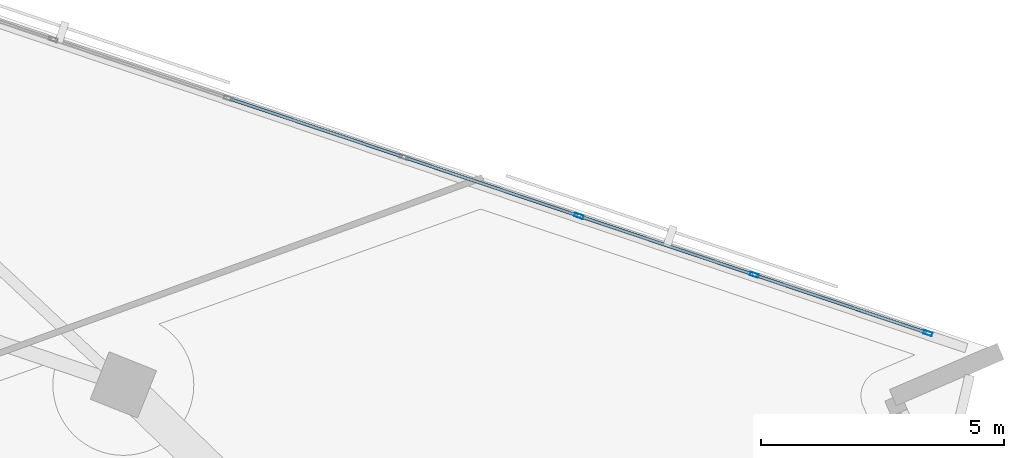
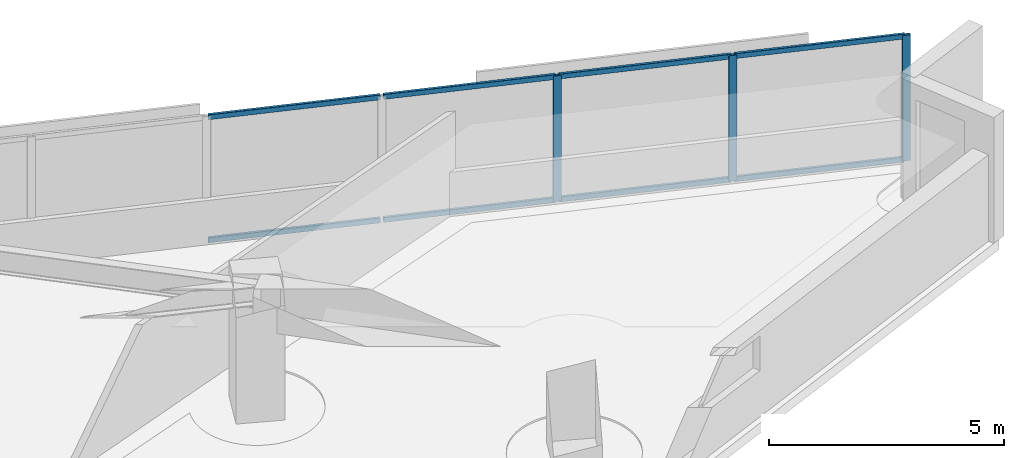
# One storey, part 5 of 14: 11 members, 1 element without a shape of its own.
"""IFC4 building model written with IfcOpenShell, lengths in metres."""

import ifcopenshell
import ifcopenshell.guid

model = None  # the IFC model being written
_history = None  # IfcOwnerHistory: only IFC2X3 demands one
_inside = {}  # id of a spatial element -> (the spatial element, [elements in it])
_under = {}  # id of a project, library or spatial element -> (it, [spatial elements below it])
_declared = {}  # id of a project -> (the project, [libraries it declares])
_typed = {}  # id of a type object -> (the type object, [elements of that type])
_made_of = {}  # id of a material, layer set ... -> (it, [elements and type objects made of it])


def new_model(schema):
    """Start an empty IFC model of exactly this schema.

    Asked for "IFC4X3", IfcOpenShell would pick the latest addendum, in which some entities
    have other attributes; the version numbers below select the first issue.
    IFC2X3 requires an IfcOwnerHistory on every rooted entity: one is made here for all.
    """
    global model, _history
    if schema == "IFC4X3":
        model = ifcopenshell.file(schema_version=(4, 3, 0, 0))
    else:
        model = ifcopenshell.file(schema=schema)
    _inside.clear()
    _under.clear()
    _declared.clear()
    _typed.clear()
    _made_of.clear()
    _history = None
    if model.schema == "IFC2X3":
        org = make("IfcOrganization", Name="unknown")
        user = make(
            "IfcPersonAndOrganization",
            ThePerson=make("IfcPerson", FamilyName="unknown"),
            TheOrganization=org,
        )
        app = make(
            "IfcApplication",
            ApplicationDeveloper=org,
            Version="unknown",
            ApplicationFullName="unknown",
            ApplicationIdentifier="unknown",
        )
        _history = make(
            "IfcOwnerHistory",
            OwningUser=user,
            OwningApplication=app,
            ChangeAction="ADDED",
            CreationDate=0,
        )
    return model


def make(cls, **values):
    """One entity of the class cls with the attributes given. An attribute that is None is left unset."""
    return model.create_entity(
        cls, **{name: value for name, value in values.items() if value is not None}
    )


def rooted(cls, **values):
    """An entity with a GlobalId (a new one), such as an element, a storey or a relation."""
    return make(cls, GlobalId=ifcopenshell.guid.new(), OwnerHistory=_history, **values)


def si_unit(unit_type, name, prefix=None):
    """IfcSIUnit, for example si_unit("LENGTHUNIT", "METRE", prefix="MILLI")."""
    return make("IfcSIUnit", UnitType=unit_type, Prefix=prefix, Name=name)


def assignment(units):
    """IfcUnitAssignment: the units of a project."""
    return None if units is None else make("IfcUnitAssignment", Units=units)


def point(xyz):
    """IfcCartesianPoint."""
    return None if xyz is None else make("IfcCartesianPoint", Coordinates=xyz)


def direction(xyz):
    """IfcDirection."""
    return None if xyz is None else make("IfcDirection", DirectionRatios=xyz)


def frame(location, z_axis=None, x_axis=None):
    """IfcAxis2Placement3D, a coordinate frame: its origin and axes. An axis left out is left unset."""
    return make(
        "IfcAxis2Placement3D",
        Location=point(location),
        Axis=direction(z_axis),
        RefDirection=direction(x_axis),
    )


def frame_2d(location, x_axis=None):
    """IfcAxis2Placement2D, a coordinate frame in the plane: its origin and x axis."""
    return make(
        "IfcAxis2Placement2D", Location=point(location), RefDirection=direction(x_axis)
    )


def origin():
    """The frame at (0, 0, 0) with its axes left unset."""
    return frame((0.0, 0.0, 0.0))


def origin_2d():
    """The frame at (0, 0) in the plane with its x axis left unset."""
    return frame_2d((0.0, 0.0))


def place(relative_to, where):
    """IfcLocalPlacement: puts the frame where relative to a parent placement (None: the world)."""
    return make(
        "IfcLocalPlacement", PlacementRelTo=relative_to, RelativePlacement=where
    )


def context(
    kind, dimensions, precision=None, world=None, true_north=None, identifier=None
):
    """IfcGeometricRepresentationContext, for example the 3D "Model" context."""
    return make(
        "IfcGeometricRepresentationContext",
        ContextIdentifier=identifier,
        ContextType=kind,
        CoordinateSpaceDimension=dimensions,
        Precision=precision,
        WorldCoordinateSystem=world,
        TrueNorth=true_north,
    )


def subcontext(parent, identifier, kind, view, scale=None):
    """IfcGeometricRepresentationSubContext, for example "Body" below "Model"."""
    return make(
        "IfcGeometricRepresentationSubContext",
        ContextIdentifier=identifier,
        ContextType=kind,
        ParentContext=parent,
        TargetScale=scale,
        TargetView=view,
    )


def project(units=None, contexts=None):
    """IfcProject with its units and contexts."""
    return rooted(
        "IfcProject",
        Name="project",
        RepresentationContexts=contexts,
        UnitsInContext=assignment(units),
    )


def spatial(cls, under=None, at=None, **own):
    """A site, building, storey or space (cls), placed at a placement, below another one or the project."""
    s = rooted(cls, ObjectPlacement=at, **own)
    if under is not None:
        _under.setdefault(under.id(), (under, []))[1].append(s)
    return s


def profile(cls, at=None, kind="AREA", **sizes):
    """A parametric profile (cls). Its sizes go by their IFC names, for example OverallWidth=200.0."""
    return make(cls, ProfileType=kind, Position=at, **sizes)


def hollow_rectangle(**sizes):
    """IfcRectangleHollowProfileDef."""
    return profile("IfcRectangleHollowProfileDef", **sizes)


def extrude(swept, where, along, depth):
    """IfcExtrudedAreaSolid: the profile swept, set in the frame where, extruded along a direction by depth."""
    return make(
        "IfcExtrudedAreaSolid",
        SweptArea=swept,
        Position=where,
        ExtrudedDirection=direction(along),
        Depth=depth,
    )


def shape(context_of_items, identifier, shape_type, items):
    """IfcShapeRepresentation: the items that make up one representation, for example the "Body"."""
    return make(
        "IfcShapeRepresentation",
        ContextOfItems=context_of_items,
        RepresentationIdentifier=identifier,
        RepresentationType=shape_type,
        Items=items,
    )


def material(Name=None, Category=None):
    """IfcMaterial."""
    return make("IfcMaterial", Name=Name, Category=Category)


def material_profile(
    of_material, cross_section, Name=None, Category=None, Priority=None
):
    """IfcMaterialProfile: a cross section and its material."""
    return make(
        "IfcMaterialProfile",
        Name=Name,
        Material=of_material,
        Profile=cross_section,
        Priority=Priority,
        Category=Category,
    )


def profile_set(profiles, Name=None, composite=None):
    """IfcMaterialProfileSet."""
    return make(
        "IfcMaterialProfileSet",
        Name=Name,
        MaterialProfiles=profiles,
        CompositeProfile=composite,
    )


def made_of(thing, what):
    """Note that an element or type object is made of a material, layer set ...; save() writes the relation."""
    if what is not None:
        _made_of.setdefault(what.id(), (what, []))[1].append(thing)
    return thing


def type_object(cls, material=None, **own):
    """A type object (cls), such as IfcWallType, which elements share."""
    return made_of(rooted(cls, **own), material)


def element(
    cls,
    number,
    at=None,
    inside=None,
    cuts=None,
    type_object=None,
    material=None,
    context=None,
    identifier="Body",
    shape_type=None,
    held_by="IfcProductDefinitionShape",
    body=None,
    shapes=None,
    **own,
):
    """One element of the class cls, such as IfcWall. Its Tag is "e" and its number.

    at: its placement. inside: the storey or other place that contains it. cuts: it is an
    opening in that element (IfcRelVoidsElement). A single representation is given by context,
    identifier, shape_type and body (its items); several are given by shapes. held_by: the class
    of the entity that holds the representations. save() writes the other relations.
    """
    e = rooted(cls, Tag="e%d" % number, ObjectPlacement=at, **own)
    if body is not None:
        shapes = [shape(context, identifier, shape_type, body)]
    if shapes is not None:
        e.Representation = make(held_by, Representations=shapes)
    if inside is not None:
        _inside.setdefault(inside.id(), (inside, []))[1].append(e)
    if cuts is not None:
        rooted(
            "IfcRelVoidsElement", RelatingBuildingElement=cuts, RelatedOpeningElement=e
        )
    if type_object is not None:
        _typed.setdefault(type_object.id(), (type_object, []))[1].append(e)
    return made_of(e, material)


def aggregate(whole, parts):
    """IfcRelAggregates: a whole, such as a stair, and the parts it consists of."""
    return rooted("IfcRelAggregates", RelatingObject=whole, RelatedObjects=parts)


def save(model, path):
    """Write the relations noted so far, then the file.

    IfcRelAggregates (storeys below a building ...), IfcRelContainedInSpatialStructure (elements
    in a storey), IfcRelDefinesByType, IfcRelAssociatesMaterial and IfcRelDeclares: one each for
    every whole, place, type object, material and project.
    """
    for whole, parts in _under.values():
        aggregate(whole, parts)
    for where, things in _inside.values():
        rooted(
            "IfcRelContainedInSpatialStructure",
            RelatedElements=things,
            RelatingStructure=where,
        )
    for kind, things in _typed.values():
        rooted("IfcRelDefinesByType", RelatedObjects=things, RelatingType=kind)
    for what, things in _made_of.values():
        rooted("IfcRelAssociatesMaterial", RelatedObjects=things, RelatingMaterial=what)
    for by, libraries in _declared.values():
        rooted("IfcRelDeclares", RelatingContext=by, RelatedDefinitions=libraries)
    model.write(path)


model = new_model("IFC4")

# Units and contexts
model_context = context("Model", 3, precision=1e-05, world=origin(), true_north=direction((0.0, 1.0)))
body_context = subcontext(model_context, "Body", "Model", "MODEL_VIEW")
ifc_project = project(units=[si_unit("LENGTHUNIT", "METRE"), si_unit("AREAUNIT", "SQUARE_METRE"), si_unit("VOLUMEUNIT", "CUBIC_METRE"), si_unit("PLANEANGLEUNIT", "RADIAN"), si_unit("MASSUNIT", "GRAM", prefix="KILO")], contexts=[model_context])

# Site, building, storey
site_placement = place(None, origin())
site = spatial("IfcSite", under=ifc_project, at=site_placement, CompositionType="ELEMENT")
building_placement = place(site_placement, origin())
building = spatial("IfcBuilding", under=site, at=building_placement, Name="Narakoshi Arena Tower", CompositionType="ELEMENT")
storey_placement = place(building_placement, frame((0.0, 0.0, 182.6201171875)))
storey = spatial("IfcBuildingStorey", under=building, at=storey_placement, Name="L49", CompositionType="ELEMENT", Elevation=182.6201171875)

# Curtain wall, members
ifc_material = material(Name="Anodised bronze aluminium 6063-T6", Category="aluminium")
curtain_wall_type = type_object("IfcCurtainWallType", Name="CW-HYP-MID", PredefinedType="NOTDEFINED", material=ifc_material)
curtain_wall_placement = place(storey_placement, origin())
curtain_wall = element("IfcCurtainWall", 1, at=curtain_wall_placement, inside=storey, type_object=curtain_wall_type, Name="L49 Folded Hypotenuse Curtain Wall 1-1", PredefinedType="NOTDEFINED")
ifc_material_profile_1 = material_profile(ifc_material, hollow_rectangle(XDim=0.074951171875, YDim=0.179931640625, WallThickness=0.00390625, OuterFilletRadius=0.0048828125, at=origin_2d()), Name="MUL180x75x4")
ifc_profile_set_1 = profile_set([ifc_material_profile_1], Name="Anodised bronze aluminium 6063-T6")
member_type_1 = type_object("IfcMemberType", Name="MEM-MUL-180", PredefinedType="MULLION", material=ifc_profile_set_1)
member_1_placement = place(storey_placement, frame((116.57080078125, 52.6513671875, 0.0), z_axis=(0.0, 0.0, 1.0), x_axis=(-0.318260960253, -0.948003144077, 0.0)))
member_1 = element("IfcMember", 2, at=member_1_placement, type_object=member_type_1, Name="CW-02 mullion 1", PredefinedType="MULLION", context=body_context, shape_type="SweptSolid", body=[
    extrude(hollow_rectangle(XDim=0.074951171875, YDim=0.179931640625, WallThickness=0.00390625, OuterFilletRadius=0.0048828125, at=origin_2d()), origin(), (0.0, 0.0, 1.0), 3.259765625),
])
member_2_placement = place(storey_placement, frame((112.998779296875, 53.8505859375, 0.0), z_axis=(0.0, 0.0, 1.0), x_axis=(-0.318260960253, -0.948003144077, 0.0)))
member_2 = element("IfcMember", 3, at=member_2_placement, type_object=member_type_1, Name="CW-02 mullion 2", PredefinedType="MULLION", context=body_context, shape_type="SweptSolid", body=[
    extrude(hollow_rectangle(XDim=0.074951171875, YDim=0.179931640625, WallThickness=0.00390625, OuterFilletRadius=0.0048828125, at=origin_2d()), origin(), (0.0, 0.0, 1.0), 3.259765625),
])
member_3_placement = place(storey_placement, frame((109.39111328125, 55.061767578125, 0.0), z_axis=(0.0, 0.0, 1.0), x_axis=(-0.318260960253, -0.948003144077, 0.0)))
member_3 = element("IfcMember", 4, at=member_3_placement, type_object=member_type_1, Name="CW-02 mullion 3", PredefinedType="MULLION", context=body_context, shape_type="SweptSolid", body=[
    extrude(hollow_rectangle(XDim=0.074951171875, YDim=0.179931640625, WallThickness=0.00390625, OuterFilletRadius=0.0048828125, at=origin_2d()), origin(), (0.0, 0.0, 1.0), 3.259765625),
])
ifc_material_profile_2 = material_profile(ifc_material, hollow_rectangle(XDim=0.06494140625, YDim=0.1298828125, WallThickness=0.00390625, OuterFilletRadius=0.0048828125, at=origin_2d()), Name="TRN130x65x4")
ifc_profile_set_2 = profile_set([ifc_material_profile_2], Name="Anodised bronze aluminium 6063-T6")
member_type_2 = type_object("IfcMemberType", Name="MEM-TRN-130", PredefinedType="USERDEFINED", material=ifc_profile_set_2)
member_4_placement = place(storey_placement, frame((116.53515625, 52.663330078125, 0.032470703125), z_axis=(-0.948006826737, 0.31824999051, 0.0), x_axis=(-0.31824999051, -0.948006826737, 0.0)))
member_4 = element("IfcMember", 5, at=member_4_placement, type_object=member_type_2, Name="CW-02 transom 1.1", ObjectType="TRANSOM", PredefinedType="USERDEFINED", context=body_context, shape_type="SweptSolid", body=[
    extrude(hollow_rectangle(XDim=0.06494140625, YDim=0.1298828125, WallThickness=0.00390625, OuterFilletRadius=0.0048828125, at=origin_2d()), origin(), (0.0, 0.0, 1.0), 3.69287109375),
])
member_5_placement = place(storey_placement, frame((116.53515625, 52.663330078125, 3.227294921875), z_axis=(-0.948006826737, 0.31824999051, 0.0), x_axis=(-0.31824999051, -0.948006826737, 0.0)))
member_5 = element("IfcMember", 6, at=member_5_placement, type_object=member_type_2, Name="CW-02 transom 1.2", ObjectType="TRANSOM", PredefinedType="USERDEFINED", context=body_context, shape_type="SweptSolid", body=[
    extrude(hollow_rectangle(XDim=0.06494140625, YDim=0.1298828125, WallThickness=0.00390625, OuterFilletRadius=0.0048828125, at=origin_2d()), origin(), (0.0, 0.0, 1.0), 3.69287109375),
])
member_6_placement = place(storey_placement, frame((112.963134765625, 53.862548828125, 0.032470703125), z_axis=(-0.948000451231, 0.318268981314, 0.0), x_axis=(-0.318268981314, -0.948000451231, 0.0)))
member_6 = element("IfcMember", 7, at=member_6_placement, type_object=member_type_2, Name="CW-02 transom 2.1", ObjectType="TRANSOM", PredefinedType="USERDEFINED", context=body_context, shape_type="SweptSolid", body=[
    extrude(hollow_rectangle(XDim=0.06494140625, YDim=0.1298828125, WallThickness=0.00390625, OuterFilletRadius=0.0048828125, at=origin_2d()), origin(), (0.0, 0.0, 1.0), 3.73046875),
])
member_7_placement = place(storey_placement, frame((112.963134765625, 53.862548828125, 3.227294921875), z_axis=(-0.948000451231, 0.318268981314, 0.0), x_axis=(-0.318268981314, -0.948000451231, 0.0)))
member_7 = element("IfcMember", 8, at=member_7_placement, type_object=member_type_2, Name="CW-02 transom 2.2", ObjectType="TRANSOM", PredefinedType="USERDEFINED", context=body_context, shape_type="SweptSolid", body=[
    extrude(hollow_rectangle(XDim=0.06494140625, YDim=0.1298828125, WallThickness=0.00390625, OuterFilletRadius=0.0048828125, at=origin_2d()), origin(), (0.0, 0.0, 1.0), 3.73046875),
])
member_8_placement = place(storey_placement, frame((109.35546875, 55.073486328125, 0.032470703125), z_axis=(-0.948000451231, 0.318268981314, 0.0), x_axis=(-0.318268981314, -0.948000451231, 0.0)))
member_8 = element("IfcMember", 9, at=member_8_placement, type_object=member_type_2, Name="CW-02 transom 3.1", ObjectType="TRANSOM", PredefinedType="USERDEFINED", context=body_context, shape_type="SweptSolid", body=[
    extrude(hollow_rectangle(XDim=0.06494140625, YDim=0.1298828125, WallThickness=0.00390625, OuterFilletRadius=0.0048828125, at=origin_2d()), origin(), (0.0, 0.0, 1.0), 3.73046875),
])
member_9_placement = place(storey_placement, frame((109.35546875, 55.073486328125, 3.227294921875), z_axis=(-0.948000451231, 0.318268981314, 0.0), x_axis=(-0.318268981314, -0.948000451231, 0.0)))
member_9 = element("IfcMember", 10, at=member_9_placement, type_object=member_type_2, Name="CW-02 transom 3.2", ObjectType="TRANSOM", PredefinedType="USERDEFINED", context=body_context, shape_type="SweptSolid", body=[
    extrude(hollow_rectangle(XDim=0.06494140625, YDim=0.1298828125, WallThickness=0.00390625, OuterFilletRadius=0.0048828125, at=origin_2d()), origin(), (0.0, 0.0, 1.0), 3.73046875),
])
member_10_placement = place(storey_placement, frame((105.748046875, 56.28466796875, 0.032470703125), z_axis=(-0.948007080082, 0.318249235844, 0.0), x_axis=(-0.318249235844, -0.948007080082, 0.0)))
member_10 = element("IfcMember", 11, at=member_10_placement, type_object=member_type_2, Name="CW-02 transom 4.1", ObjectType="TRANSOM", PredefinedType="USERDEFINED", context=body_context, shape_type="SweptSolid", body=[
    extrude(hollow_rectangle(XDim=0.06494140625, YDim=0.1298828125, WallThickness=0.00390625, OuterFilletRadius=0.0048828125, at=origin_2d()), origin(), (0.0, 0.0, 1.0), 3.73046875),
])
member_11_placement = place(storey_placement, frame((105.748046875, 56.28466796875, 3.227294921875), z_axis=(-0.948007080082, 0.318249235844, 0.0), x_axis=(-0.318249235844, -0.948007080082, 0.0)))
member_11 = element("IfcMember", 12, at=member_11_placement, type_object=member_type_2, Name="CW-02 transom 4.2", ObjectType="TRANSOM", PredefinedType="USERDEFINED", context=body_context, shape_type="SweptSolid", body=[
    extrude(hollow_rectangle(XDim=0.06494140625, YDim=0.1298828125, WallThickness=0.00390625, OuterFilletRadius=0.0048828125, at=origin_2d()), origin(), (0.0, 0.0, 1.0), 3.73046875),
])
aggregate(curtain_wall, [member_1, member_2, member_3, member_4, member_5, member_6, member_7, member_8, member_9, member_10, member_11])

save(model, "model.ifc")
